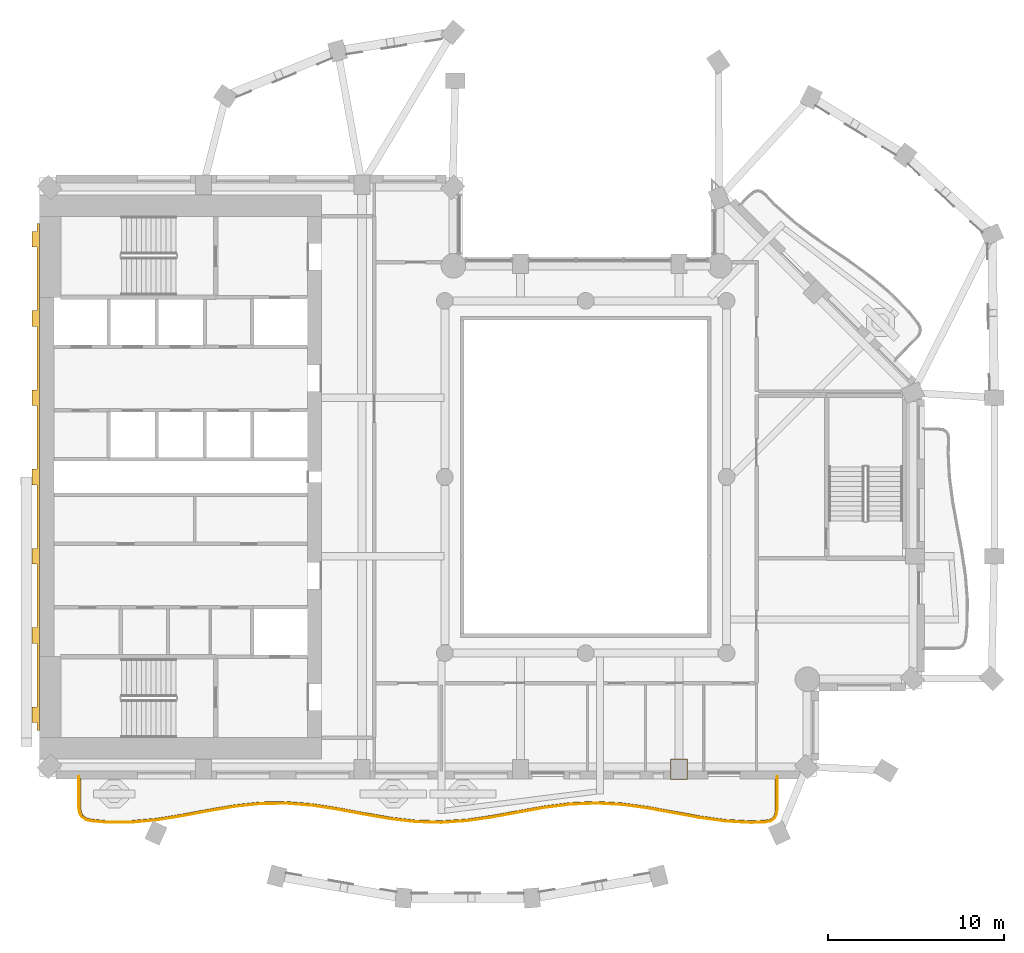
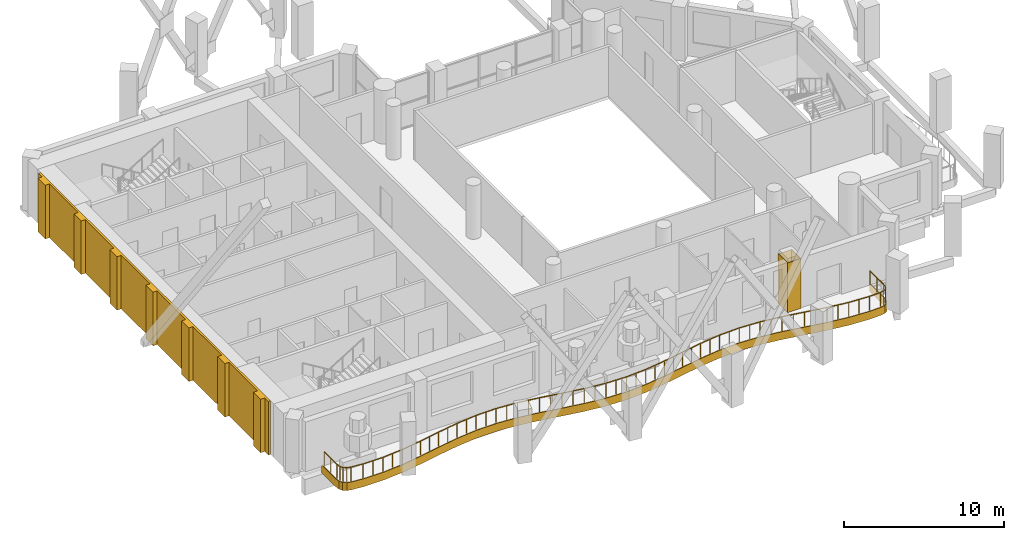
# One storey, part 13 of 17: 3 coverings, 1 railing.
"""IFC4 building model written with IfcOpenShell, lengths in metres."""

from ifc_helpers import new_model, si_unit, direction, frame, origin, origin_2d, place, context, subcontext, project, spatial, polyline, rectangle, outline, extrude, material, layer, layer_set, type_object, element, save


model = new_model("IFC4")

# Units and contexts
model_context = context("Model", 3, precision=1e-05, world=origin(), true_north=direction((0.0, 1.0)))
body_context = subcontext(model_context, "Body", "Model", "MODEL_VIEW")
ifc_project = project(units=[si_unit("LENGTHUNIT", "METRE"), si_unit("AREAUNIT", "SQUARE_METRE"), si_unit("VOLUMEUNIT", "CUBIC_METRE"), si_unit("PLANEANGLEUNIT", "RADIAN"), si_unit("MASSUNIT", "GRAM", prefix="KILO")], contexts=[model_context])

# Site, building, storey
site_placement = place(None, origin())
site = spatial("IfcSite", under=ifc_project, at=site_placement, CompositionType="ELEMENT")
building_placement = place(site_placement, origin())
building = spatial("IfcBuilding", under=site, at=building_placement, Name="Cypress Arch Tower", CompositionType="ELEMENT")
storey_placement = place(building_placement, frame((0.0, 0.0, 217.89990234375)))
storey = spatial("IfcBuildingStorey", under=building, at=storey_placement, Name="L48", CompositionType="ELEMENT", Elevation=217.89990234375)

# Covering
ifc_material_1 = material(Name="White powder-coated aluminium fascia", Category="aluminium")
ifc_layer_1 = layer(ifc_material_1, 0.050048828125)
ifc_layer_set_1 = layer_set([ifc_layer_1], Name="Balcony fascia BF50")
covering_type_1 = type_object("IfcCoveringType", Name="Balcony fascia BF50", PredefinedType="CLADDING", material=ifc_layer_set_1)
covering_1_placement = place(storey_placement, frame((0.0, 0.0, -0.599853515625)))
element("IfcCovering", 1, at=covering_1_placement, inside=storey, type_object=covering_type_1, Name="Balcony fascia L48-B01", PredefinedType="CLADDING", context=body_context, shape_type="SweptSolid", body=[
    extrude(outline(polyline([(11.89990234375, -18.8837890625), (11.85693359375, -19.187744140625), (11.72216796875, -19.41796875), (11.49755859375, -19.56201171875), (11.195556640625, -19.617431640625), (10.383056640625, -19.650390625), (8.911865234375, -19.56884765625), (7.442138671875, -19.36669921875), (5.974365234375, -19.096435546875), (4.5087890625, -18.827392578125), (3.04541015625, -18.62841796875), (1.5830078125, -18.55029296875), (0.120849609375, -18.61279296875), (-1.34228515625, -18.800048828125), (-2.8076171875, -19.064453125), (-4.275146484375, -19.338134765625), (-5.744873046875, -19.551025390625), (-7.2158203125, -19.648193359375), (-8.68701171875, -19.6044921875), (-10.1572265625, -19.43115234375), (-11.625732421875, -19.173095703125), (-13.091796875, -18.896484375), (-14.5556640625, -18.67236328125), (-16.018310546875, -18.557861328125), (-17.480224609375, -18.58203125), (-18.943115234375, -18.73876953125), (-20.40771484375, -18.98828125), (-21.874755859375, -19.266845703125), (-23.34375, -19.502685546875), (-24.814453125, -19.63525390625), (-26.285888671875, -19.63037109375), (-27.09814453125, -19.552490234375), (-27.399658203125, -19.480224609375), (-27.623046875, -19.32421875), (-27.7568359375, -19.0869140625), (-27.800048828125, -18.780029296875), (-27.800048828125, -17.0009765625), (-27.75, -17.0009765625), (-27.75, -18.776611328125), (-27.708740234375, -19.07080078125), (-27.5849609375, -19.289794921875), (-27.378662109375, -19.433837890625), (-27.090087890625, -19.5029296875), (-26.283447265625, -19.58056640625), (-24.816650390625, -19.585205078125), (-23.35009765625, -19.453125), (-21.88330078125, -19.217529296875), (-20.416748046875, -18.939208984375), (-18.949951171875, -18.689208984375), (-17.4833984375, -18.5322265625), (-16.0166015625, -18.5078125), (-14.550048828125, -18.62255859375), (-13.083251953125, -18.84716796875), (-11.61669921875, -19.123779296875), (-10.14990234375, -19.3818359375), (-8.683349609375, -19.5546875), (-7.216552734375, -19.59814453125), (-5.75, -19.50146484375), (-4.283447265625, -19.288818359375), (-2.816650390625, -19.01513671875), (-1.35009765625, -18.750732421875), (0.11669921875, -18.56298828125), (1.583251953125, -18.500244140625), (3.050048828125, -18.57861328125), (4.5166015625, -18.778076171875), (5.9833984375, -19.04736328125), (7.449951171875, -19.3173828125), (8.916748046875, -19.51904296875), (10.38330078125, -19.600341796875), (11.18994140625, -19.567626953125), (11.478759765625, -19.5146484375), (11.68505859375, -19.382568359375), (11.808837890625, -19.171142578125), (11.85009765625, -18.88037109375), (11.85009765625, -17.0009765625), (11.89990234375, -17.0009765625), (11.89990234375, -18.8837890625)])), origin(), (0.0, 0.0, 1.0), 0.599853515625),
])

# Railing
ifc_material_2 = material(Name="Powder-coated steel posts and rods, 100 mm clear between rods", Category="steel")
railing_type = type_object("IfcRailingType", Name="Balcony guard GR1100", PredefinedType="GUARDRAIL", material=ifc_material_2)
railing_placement = place(storey_placement, frame((11.800048828125, -17.14990234375, 0.0)))
element("IfcRailing", 2, at=railing_placement, inside=storey, type_object=railing_type, Name="Balcony guard L48-B01", PredefinedType="GUARDRAIL", context=body_context, shape_type="SweptSolid", body=[
    extrude(rectangle(XDim=0.050048828125, YDim=0.050048828125, at=origin_2d()), frame((0.0, 0.0, 1.0751953125), z_axis=(0.0, -1.0, 0.0), x_axis=(1.0, 0.0, 0.0)), (0.0, 0.0, 1.0), 1.72705078125),
    extrude(rectangle(XDim=0.050048828125, YDim=0.050048828125, at=origin_2d()), frame((0.0, -1.72705078125, 1.0751953125), z_axis=(-0.140323088527, -0.990105767495, 0.0), x_axis=(0.990105767495, -0.140323088527, 0.0)), (0.0, 0.0, 1.0), 0.280029296875),
    extrude(rectangle(XDim=0.050048828125, YDim=0.050048828125, at=origin_2d()), frame((-0.039306640625, -2.00439453125, 1.0751953125), z_axis=(-0.505298405875, -0.862944680162, 0.0), x_axis=(0.862944680162, -0.505298405875, 0.0)), (0.0, 0.0, 1.0), 0.22314453125),
    extrude(rectangle(XDim=0.050048828125, YDim=0.050048828125, at=origin_2d()), frame((-0.152099609375, -2.197021484375, 1.0751953125), z_axis=(-0.84217206923, -0.539208870299, 0.0), x_axis=(0.539208870299, -0.84217206923, 0.0)), (0.0, 0.0, 1.0), 0.22314453125),
    extrude(rectangle(XDim=0.050048828125, YDim=0.050048828125, at=origin_2d()), frame((-0.340087890625, -2.3173828125, 1.0751953125), z_axis=(-0.98360398179, -0.180341916945, 0.0), x_axis=(0.180341916945, -0.98360398179, 0.0)), (0.0, 0.0, 1.0), 0.2802734375),
    extrude(rectangle(XDim=0.050048828125, YDim=0.050048828125, at=origin_2d()), frame((-0.61572265625, -2.367919921875, 1.0751953125), z_axis=(-0.999178410314, -0.040527822071, 0.0), x_axis=(0.040527822071, -0.999178410314, 0.0)), (0.0, 0.0, 1.0), 0.80126953125),
    extrude(rectangle(XDim=0.050048828125, YDim=0.050048828125, at=origin_2d()), frame((-1.416259765625, -2.400390625, 1.0751953125), z_axis=(-0.998467525292, 0.055340771018, 0.0), x_axis=(-0.055340771018, -0.998467525292, 0.0)), (0.0, 0.0, 1.0), 1.464599609375),
    extrude(rectangle(XDim=0.050048828125, YDim=0.050048828125, at=origin_2d()), frame((-2.878662109375, -2.3193359375, 1.0751953125), z_axis=(-0.99066043027, 0.136352161323, 0.0), x_axis=(-0.136352161323, -0.99066043027, 0.0)), (0.0, 0.0, 1.0), 1.477294921875),
    extrude(rectangle(XDim=0.050048828125, YDim=0.050048828125, at=origin_2d()), frame((-4.342041015625, -2.117919921875, 1.0751953125), z_axis=(-0.983476992089, 0.181033162795, 0.0), x_axis=(-0.181033162795, -0.983476992089, 0.0)), (0.0, 0.0, 1.0), 1.490234375),
    extrude(rectangle(XDim=0.050048828125, YDim=0.050048828125, at=origin_2d()), frame((-5.8076171875, -1.84814453125, 1.0751953125), z_axis=(-0.983554284179, 0.180612762763, 0.0), x_axis=(-0.180612762763, -0.983554284179, 0.0)), (0.0, 0.0, 1.0), 1.492431640625),
    extrude(rectangle(XDim=0.050048828125, YDim=0.050048828125, at=origin_2d()), frame((-7.275390625, -1.57861328125, 1.0751953125), z_axis=(-0.990897143791, 0.134621136625, 0.0), x_axis=(-0.134621136625, -0.990897143791, 0.0)), (0.0, 0.0, 1.0), 1.4833984375),
    extrude(rectangle(XDim=0.050048828125, YDim=0.050048828125, at=origin_2d()), frame((-8.745361328125, -1.37890625, 1.0751953125), z_axis=(-0.998575394314, 0.053358990536, 0.0), x_axis=(-0.053358990536, -0.998575394314, 0.0)), (0.0, 0.0, 1.0), 1.473388671875),
    extrude(rectangle(XDim=0.050048828125, YDim=0.050048828125, at=origin_2d()), frame((-10.216552734375, -1.30029296875, 1.0751953125), z_axis=(-0.999084718698, -0.042775283343, 0.0), x_axis=(0.042775283343, -0.999084718698, 0.0)), (0.0, 0.0, 1.0), 1.47265625),
    extrude(rectangle(XDim=0.050048828125, YDim=0.050048828125, at=origin_2d()), frame((-11.687744140625, -1.36328125, 1.0751953125), z_axis=(-0.991921576173, -0.126852618112, 0.0), x_axis=(0.126852618112, -0.991921576173, 0.0)), (0.0, 0.0, 1.0), 1.48193359375),
    extrude(rectangle(XDim=0.050048828125, YDim=0.050048828125, at=origin_2d()), frame((-13.15771484375, -1.55126953125, 1.0751953125), z_axis=(-0.984107330905, -0.1775746639, 0.0), x_axis=(0.1775746639, -0.984107330905, 0.0)), (0.0, 0.0, 1.0), 1.49169921875),
    extrude(rectangle(XDim=0.050048828125, YDim=0.050048828125, at=origin_2d()), frame((-14.625732421875, -1.816162109375, 1.0751953125), z_axis=(-0.983042293768, -0.18337897552, 0.0), x_axis=(0.18337897552, -0.983042293768, 0.0)), (0.0, 0.0, 1.0), 1.4912109375),
    extrude(rectangle(XDim=0.050048828125, YDim=0.050048828125, at=origin_2d()), frame((-16.091552734375, -2.089599609375, 1.0751953125), z_axis=(-0.989656863046, -0.143454848038, 0.0), x_axis=(0.143454848038, -0.989656863046, 0.0)), (0.0, 0.0, 1.0), 1.47900390625),
    extrude(rectangle(XDim=0.050048828125, YDim=0.050048828125, at=origin_2d()), frame((-17.55517578125, -2.3017578125, 1.0751953125), z_axis=(-0.997832810113, -0.065800327211, 0.0), x_axis=(0.065800327211, -0.997832810113, 0.0)), (0.0, 0.0, 1.0), 1.465576171875),
    extrude(rectangle(XDim=0.050048828125, YDim=0.050048828125, at=origin_2d()), frame((-19.017578125, -2.398193359375, 1.0751953125), z_axis=(-0.999558618857, 0.029708037094, 0.0), x_axis=(-0.029708037094, -0.999558618857, 0.0)), (0.0, 0.0, 1.0), 1.462890625),
    extrude(rectangle(XDim=0.050048828125, YDim=0.050048828125, at=origin_2d()), frame((-20.479736328125, -2.354736328125, 1.0751953125), z_axis=(-0.993132493796, 0.116995084368, 0.0), x_axis=(-0.116995084368, -0.993132493796, 0.0)), (0.0, 0.0, 1.0), 1.47314453125),
    extrude(rectangle(XDim=0.050048828125, YDim=0.050048828125, at=origin_2d()), frame((-21.94287109375, -2.182373046875, 1.0751953125), z_axis=(-0.984890783301, 0.173176629397, 0.0), x_axis=(-0.173176629397, -0.984890783301, 0.0)), (0.0, 0.0, 1.0), 1.4873046875),
    extrude(rectangle(XDim=0.050048828125, YDim=0.050048828125, at=origin_2d()), frame((-23.40771484375, -1.9248046875, 1.0751953125), z_axis=(-0.982660529604, 0.185413817067, 0.0), x_axis=(-0.185413817067, -0.982660529604, 0.0)), (0.0, 0.0, 1.0), 1.4931640625),
    extrude(rectangle(XDim=0.050048828125, YDim=0.050048828125, at=origin_2d()), frame((-24.875, -1.64794921875, 1.0751953125), z_axis=(-0.988491023106, 0.151279533446, 0.0), x_axis=(-0.151279533446, -0.988491023106, 0.0)), (0.0, 0.0, 1.0), 1.486328125),
    extrude(rectangle(XDim=0.050048828125, YDim=0.050048828125, at=origin_2d()), frame((-26.34423828125, -1.423095703125, 1.0751953125), z_axis=(-0.996945455279, 0.078100955169, 0.0), x_axis=(-0.078100955169, -0.996945455279, 0.0)), (0.0, 0.0, 1.0), 1.475341796875),
    extrude(rectangle(XDim=0.050048828125, YDim=0.050048828125, at=origin_2d()), frame((-27.815185546875, -1.307861328125, 1.0751953125), z_axis=(-0.999862335468, -0.016592471548, 0.0), x_axis=(0.016592471548, -0.999862335468, 0.0)), (0.0, 0.0, 1.0), 1.471435546875),
    extrude(rectangle(XDim=0.050048828125, YDim=0.050048828125, at=origin_2d()), frame((-29.286376953125, -1.332275390625, 1.0751953125), z_axis=(-0.994297281732, -0.106643872489, 0.0), x_axis=(0.106643872489, -0.994297281732, 0.0)), (0.0, 0.0, 1.0), 1.47900390625),
    extrude(rectangle(XDim=0.050048828125, YDim=0.050048828125, at=origin_2d()), frame((-30.7568359375, -1.489990234375, 1.0751953125), z_axis=(-0.985821169784, -0.167799348048, 0.0), x_axis=(0.167799348048, -0.985821169784, 0.0)), (0.0, 0.0, 1.0), 1.489990234375),
    extrude(rectangle(XDim=0.050048828125, YDim=0.050048828125, at=origin_2d()), frame((-32.2255859375, -1.739990234375, 1.0751953125), z_axis=(-0.982458632035, -0.186480659427, 0.0), x_axis=(0.186480659427, -0.982458632035, 0.0)), (0.0, 0.0, 1.0), 1.492431640625),
    extrude(rectangle(XDim=0.050048828125, YDim=0.050048828125, at=origin_2d()), frame((-33.69189453125, -2.018310546875, 1.0751953125), z_axis=(-0.987355227799, -0.15852335518, 0.0), x_axis=(0.15852335518, -0.987355227799, 0.0)), (0.0, 0.0, 1.0), 1.483154296875),
    extrude(rectangle(XDim=0.050048828125, YDim=0.050048828125, at=origin_2d()), frame((-35.15625, -2.25341796875, 1.0751953125), z_axis=(-0.995947531113, -0.089936173315, 0.0), x_axis=(0.089936173315, -0.995947531113, 0.0)), (0.0, 0.0, 1.0), 1.468505859375),
    extrude(rectangle(XDim=0.050048828125, YDim=0.050048828125, at=origin_2d()), frame((-36.618896484375, -2.385498046875, 1.0751953125), z_axis=(-0.999994422202, 0.00333999473, 0.0), x_axis=(-0.00333999473, -0.999994422202, 0.0)), (0.0, 0.0, 1.0), 1.4619140625),
    extrude(rectangle(XDim=0.050048828125, YDim=0.050048828125, at=origin_2d()), frame((-38.080810546875, -2.380615234375, 1.0751953125), z_axis=(-0.995422915187, 0.09556788122, 0.0), x_axis=(-0.09556788122, -0.995422915187, 0.0)), (0.0, 0.0, 1.0), 0.8046875),
    extrude(rectangle(XDim=0.050048828125, YDim=0.050048828125, at=origin_2d()), frame((-38.8818359375, -2.3037109375, 1.0751953125), z_axis=(-0.972473089574, 0.233015214213, 0.0), x_axis=(-0.233015214213, -0.972473089574, 0.0)), (0.0, 0.0, 1.0), 0.283935546875),
    extrude(rectangle(XDim=0.050048828125, YDim=0.050048828125, at=origin_2d()), frame((-39.157958984375, -2.237548828125, 1.0751953125), z_axis=(-0.819976822953, 0.572396724152, 0.0), x_axis=(-0.572396724152, -0.819976822953, 0.0)), (0.0, 0.0, 1.0), 0.230712890625),
    extrude(rectangle(XDim=0.050048828125, YDim=0.050048828125, at=origin_2d()), frame((-39.34716796875, -2.10546875, 1.0751953125), z_axis=(-0.491917815292, 0.870641638677, 0.0), x_axis=(-0.870641638677, -0.491917815292, 0.0)), (0.0, 0.0, 1.0), 0.230712890625),
    extrude(rectangle(XDim=0.050048828125, YDim=0.050048828125, at=origin_2d()), frame((-39.460693359375, -1.904541015625, 1.0751953125), z_axis=(-0.138411751844, 0.990374770959, 0.0), x_axis=(-0.990374770959, -0.138411751844, 0.0)), (0.0, 0.0, 1.0), 0.283935546875),
    extrude(rectangle(XDim=0.050048828125, YDim=0.050048828125, at=origin_2d()), frame((-39.5, -1.623291015625, 1.0751953125), z_axis=(0.0, 1.0, 0.0), x_axis=(-1.0, 0.0, 0.0)), (0.0, 0.0, 1.0), 1.623291015625),
    extrude(rectangle(XDim=0.0400390625, YDim=0.0400390625, at=origin_2d()), origin(), (0.0, 0.0, 1.0), 1.050048828125),
    extrude(rectangle(XDim=0.0400390625, YDim=0.0400390625, at=origin_2d()), frame((0.0, -0.863525390625, 0.0)), (0.0, 0.0, 1.0), 1.050048828125),
    extrude(rectangle(XDim=0.0400390625, YDim=0.0400390625, at=origin_2d()), frame((0.0, -1.72705078125, 0.0)), (0.0, 0.0, 1.0), 1.050048828125),
    extrude(rectangle(XDim=0.0400390625, YDim=0.0400390625, at=origin_2d()), frame((-0.039306640625, -2.00439453125, 0.0)), (0.0, 0.0, 1.0), 1.050048828125),
    extrude(rectangle(XDim=0.0400390625, YDim=0.0400390625, at=origin_2d()), frame((-0.152099609375, -2.197021484375, 0.0)), (0.0, 0.0, 1.0), 1.050048828125),
    extrude(rectangle(XDim=0.0400390625, YDim=0.0400390625, at=origin_2d()), frame((-0.340087890625, -2.3173828125, 0.0)), (0.0, 0.0, 1.0), 1.050048828125),
    extrude(rectangle(XDim=0.0400390625, YDim=0.0400390625, at=origin_2d()), frame((-0.61572265625, -2.367919921875, 0.0)), (0.0, 0.0, 1.0), 1.050048828125),
    extrude(rectangle(XDim=0.0400390625, YDim=0.0400390625, at=origin_2d()), frame((-1.416259765625, -2.400390625, 0.0)), (0.0, 0.0, 1.0), 1.050048828125),
    extrude(rectangle(XDim=0.0400390625, YDim=0.0400390625, at=origin_2d()), frame((-2.1474609375, -2.35986328125, 0.0)), (0.0, 0.0, 1.0), 1.050048828125),
    extrude(rectangle(XDim=0.0400390625, YDim=0.0400390625, at=origin_2d()), frame((-2.878662109375, -2.3193359375, 0.0)), (0.0, 0.0, 1.0), 1.050048828125),
    extrude(rectangle(XDim=0.0400390625, YDim=0.0400390625, at=origin_2d()), frame((-3.6103515625, -2.21875, 0.0)), (0.0, 0.0, 1.0), 1.050048828125),
    extrude(rectangle(XDim=0.0400390625, YDim=0.0400390625, at=origin_2d()), frame((-4.342041015625, -2.117919921875, 0.0)), (0.0, 0.0, 1.0), 1.050048828125),
    extrude(rectangle(XDim=0.0400390625, YDim=0.0400390625, at=origin_2d()), frame((-5.07470703125, -1.98291015625, 0.0)), (0.0, 0.0, 1.0), 1.050048828125),
    extrude(rectangle(XDim=0.0400390625, YDim=0.0400390625, at=origin_2d()), frame((-5.8076171875, -1.84814453125, 0.0)), (0.0, 0.0, 1.0), 1.050048828125),
    extrude(rectangle(XDim=0.0400390625, YDim=0.0400390625, at=origin_2d()), frame((-6.54150390625, -1.71337890625, 0.0)), (0.0, 0.0, 1.0), 1.050048828125),
    extrude(rectangle(XDim=0.0400390625, YDim=0.0400390625, at=origin_2d()), frame((-7.275390625, -1.57861328125, 0.0)), (0.0, 0.0, 1.0), 1.050048828125),
    extrude(rectangle(XDim=0.0400390625, YDim=0.0400390625, at=origin_2d()), frame((-8.01025390625, -1.478759765625, 0.0)), (0.0, 0.0, 1.0), 1.050048828125),
    extrude(rectangle(XDim=0.0400390625, YDim=0.0400390625, at=origin_2d()), frame((-8.745361328125, -1.37890625, 0.0)), (0.0, 0.0, 1.0), 1.050048828125),
    extrude(rectangle(XDim=0.0400390625, YDim=0.0400390625, at=origin_2d()), frame((-9.48095703125, -1.339599609375, 0.0)), (0.0, 0.0, 1.0), 1.050048828125),
    extrude(rectangle(XDim=0.0400390625, YDim=0.0400390625, at=origin_2d()), frame((-10.216552734375, -1.30029296875, 0.0)), (0.0, 0.0, 1.0), 1.050048828125),
    extrude(rectangle(XDim=0.0400390625, YDim=0.0400390625, at=origin_2d()), frame((-10.9521484375, -1.331787109375, 0.0)), (0.0, 0.0, 1.0), 1.050048828125),
    extrude(rectangle(XDim=0.0400390625, YDim=0.0400390625, at=origin_2d()), frame((-11.687744140625, -1.36328125, 0.0)), (0.0, 0.0, 1.0), 1.050048828125),
    extrude(rectangle(XDim=0.0400390625, YDim=0.0400390625, at=origin_2d()), frame((-12.4228515625, -1.457275390625, 0.0)), (0.0, 0.0, 1.0), 1.050048828125),
    extrude(rectangle(XDim=0.0400390625, YDim=0.0400390625, at=origin_2d()), frame((-13.15771484375, -1.55126953125, 0.0)), (0.0, 0.0, 1.0), 1.050048828125),
    extrude(rectangle(XDim=0.0400390625, YDim=0.0400390625, at=origin_2d()), frame((-13.8916015625, -1.68359375, 0.0)), (0.0, 0.0, 1.0), 1.050048828125),
    extrude(rectangle(XDim=0.0400390625, YDim=0.0400390625, at=origin_2d()), frame((-14.625732421875, -1.816162109375, 0.0)), (0.0, 0.0, 1.0), 1.050048828125),
    extrude(rectangle(XDim=0.0400390625, YDim=0.0400390625, at=origin_2d()), frame((-15.358642578125, -1.952880859375, 0.0)), (0.0, 0.0, 1.0), 1.050048828125),
    extrude(rectangle(XDim=0.0400390625, YDim=0.0400390625, at=origin_2d()), frame((-16.091552734375, -2.089599609375, 0.0)), (0.0, 0.0, 1.0), 1.050048828125),
    extrude(rectangle(XDim=0.0400390625, YDim=0.0400390625, at=origin_2d()), frame((-16.8232421875, -2.19580078125, 0.0)), (0.0, 0.0, 1.0), 1.050048828125),
    extrude(rectangle(XDim=0.0400390625, YDim=0.0400390625, at=origin_2d()), frame((-17.55517578125, -2.3017578125, 0.0)), (0.0, 0.0, 1.0), 1.050048828125),
    extrude(rectangle(XDim=0.0400390625, YDim=0.0400390625, at=origin_2d()), frame((-18.286376953125, -2.35009765625, 0.0)), (0.0, 0.0, 1.0), 1.050048828125),
    extrude(rectangle(XDim=0.0400390625, YDim=0.0400390625, at=origin_2d()), frame((-19.017578125, -2.398193359375, 0.0)), (0.0, 0.0, 1.0), 1.050048828125),
    extrude(rectangle(XDim=0.0400390625, YDim=0.0400390625, at=origin_2d()), frame((-19.74853515625, -2.37646484375, 0.0)), (0.0, 0.0, 1.0), 1.050048828125),
    extrude(rectangle(XDim=0.0400390625, YDim=0.0400390625, at=origin_2d()), frame((-20.479736328125, -2.354736328125, 0.0)), (0.0, 0.0, 1.0), 1.050048828125),
    extrude(rectangle(XDim=0.0400390625, YDim=0.0400390625, at=origin_2d()), frame((-21.21142578125, -2.2685546875, 0.0)), (0.0, 0.0, 1.0), 1.050048828125),
    extrude(rectangle(XDim=0.0400390625, YDim=0.0400390625, at=origin_2d()), frame((-21.94287109375, -2.182373046875, 0.0)), (0.0, 0.0, 1.0), 1.050048828125),
    extrude(rectangle(XDim=0.0400390625, YDim=0.0400390625, at=origin_2d()), frame((-22.67529296875, -2.0537109375, 0.0)), (0.0, 0.0, 1.0), 1.050048828125),
    extrude(rectangle(XDim=0.0400390625, YDim=0.0400390625, at=origin_2d()), frame((-23.40771484375, -1.9248046875, 0.0)), (0.0, 0.0, 1.0), 1.050048828125),
    extrude(rectangle(XDim=0.0400390625, YDim=0.0400390625, at=origin_2d()), frame((-24.141357421875, -1.786376953125, 0.0)), (0.0, 0.0, 1.0), 1.050048828125),
    extrude(rectangle(XDim=0.0400390625, YDim=0.0400390625, at=origin_2d()), frame((-24.875, -1.64794921875, 0.0)), (0.0, 0.0, 1.0), 1.050048828125),
    extrude(rectangle(XDim=0.0400390625, YDim=0.0400390625, at=origin_2d()), frame((-25.609619140625, -1.53564453125, 0.0)), (0.0, 0.0, 1.0), 1.050048828125),
    extrude(rectangle(XDim=0.0400390625, YDim=0.0400390625, at=origin_2d()), frame((-26.34423828125, -1.423095703125, 0.0)), (0.0, 0.0, 1.0), 1.050048828125),
    extrude(rectangle(XDim=0.0400390625, YDim=0.0400390625, at=origin_2d()), frame((-27.07958984375, -1.365478515625, 0.0)), (0.0, 0.0, 1.0), 1.050048828125),
    extrude(rectangle(XDim=0.0400390625, YDim=0.0400390625, at=origin_2d()), frame((-27.815185546875, -1.307861328125, 0.0)), (0.0, 0.0, 1.0), 1.050048828125),
    extrude(rectangle(XDim=0.0400390625, YDim=0.0400390625, at=origin_2d()), frame((-28.55078125, -1.320068359375, 0.0)), (0.0, 0.0, 1.0), 1.050048828125),
    extrude(rectangle(XDim=0.0400390625, YDim=0.0400390625, at=origin_2d()), frame((-29.286376953125, -1.332275390625, 0.0)), (0.0, 0.0, 1.0), 1.050048828125),
    extrude(rectangle(XDim=0.0400390625, YDim=0.0400390625, at=origin_2d()), frame((-30.021484375, -1.4111328125, 0.0)), (0.0, 0.0, 1.0), 1.050048828125),
    extrude(rectangle(XDim=0.0400390625, YDim=0.0400390625, at=origin_2d()), frame((-30.7568359375, -1.489990234375, 0.0)), (0.0, 0.0, 1.0), 1.050048828125),
    extrude(rectangle(XDim=0.0400390625, YDim=0.0400390625, at=origin_2d()), frame((-31.4912109375, -1.614990234375, 0.0)), (0.0, 0.0, 1.0), 1.050048828125),
    extrude(rectangle(XDim=0.0400390625, YDim=0.0400390625, at=origin_2d()), frame((-32.2255859375, -1.739990234375, 0.0)), (0.0, 0.0, 1.0), 1.050048828125),
    extrude(rectangle(XDim=0.0400390625, YDim=0.0400390625, at=origin_2d()), frame((-32.958740234375, -1.879150390625, 0.0)), (0.0, 0.0, 1.0), 1.050048828125),
    extrude(rectangle(XDim=0.0400390625, YDim=0.0400390625, at=origin_2d()), frame((-33.69189453125, -2.018310546875, 0.0)), (0.0, 0.0, 1.0), 1.050048828125),
    extrude(rectangle(XDim=0.0400390625, YDim=0.0400390625, at=origin_2d()), frame((-34.424072265625, -2.1357421875, 0.0)), (0.0, 0.0, 1.0), 1.050048828125),
    extrude(rectangle(XDim=0.0400390625, YDim=0.0400390625, at=origin_2d()), frame((-35.15625, -2.25341796875, 0.0)), (0.0, 0.0, 1.0), 1.050048828125),
    extrude(rectangle(XDim=0.0400390625, YDim=0.0400390625, at=origin_2d()), frame((-35.8876953125, -2.3193359375, 0.0)), (0.0, 0.0, 1.0), 1.050048828125),
    extrude(rectangle(XDim=0.0400390625, YDim=0.0400390625, at=origin_2d()), frame((-36.618896484375, -2.385498046875, 0.0)), (0.0, 0.0, 1.0), 1.050048828125),
    extrude(rectangle(XDim=0.0400390625, YDim=0.0400390625, at=origin_2d()), frame((-37.349853515625, -2.383056640625, 0.0)), (0.0, 0.0, 1.0), 1.050048828125),
    extrude(rectangle(XDim=0.0400390625, YDim=0.0400390625, at=origin_2d()), frame((-38.080810546875, -2.380615234375, 0.0)), (0.0, 0.0, 1.0), 1.050048828125),
    extrude(rectangle(XDim=0.0400390625, YDim=0.0400390625, at=origin_2d()), frame((-38.8818359375, -2.3037109375, 0.0)), (0.0, 0.0, 1.0), 1.050048828125),
    extrude(rectangle(XDim=0.0400390625, YDim=0.0400390625, at=origin_2d()), frame((-39.157958984375, -2.237548828125, 0.0)), (0.0, 0.0, 1.0), 1.050048828125),
    extrude(rectangle(XDim=0.0400390625, YDim=0.0400390625, at=origin_2d()), frame((-39.34716796875, -2.10546875, 0.0)), (0.0, 0.0, 1.0), 1.050048828125),
    extrude(rectangle(XDim=0.0400390625, YDim=0.0400390625, at=origin_2d()), frame((-39.460693359375, -1.904541015625, 0.0)), (0.0, 0.0, 1.0), 1.050048828125),
    extrude(rectangle(XDim=0.0400390625, YDim=0.0400390625, at=origin_2d()), frame((-39.5, -1.623291015625, 0.0)), (0.0, 0.0, 1.0), 1.050048828125),
    extrude(rectangle(XDim=0.0400390625, YDim=0.0400390625, at=origin_2d()), frame((-39.5, -0.8115234375, 0.0)), (0.0, 0.0, 1.0), 1.050048828125),
    extrude(rectangle(XDim=0.0400390625, YDim=0.0400390625, at=origin_2d()), frame((-39.5, 0.0, 0.0)), (0.0, 0.0, 1.0), 1.050048828125),
])

# Coverings
ifc_material_3 = material(Name="Painted plasterboard column casing")
ifc_layer_2 = layer(ifc_material_3, 0.0400390625)
ifc_layer_set_2 = layer_set([ifc_layer_2], Name="Column casing CK40")
covering_type_2 = type_object("IfcCoveringType", Name="Column casing CK40", PredefinedType="CLADDING", material=ifc_layer_set_2)
covering_2_placement = place(storey_placement, origin())
element("IfcCovering", 3, at=covering_2_placement, inside=storey, type_object=covering_type_2, Name="Column casing L48 CB05", PredefinedType="CLADDING", context=body_context, shape_type="SweptSolid", body=[
    extrude(outline(polyline([(5.81005859375, -17.18994140625), (5.81005859375, -16.010009765625), (6.7900390625, -16.010009765625), (6.7900390625, -17.18994140625), (5.81005859375, -17.18994140625)]), holes=[polyline([(5.85009765625, -17.14990234375), (6.75, -17.14990234375), (6.75, -16.050048828125), (5.85009765625, -16.050048828125), (5.85009765625, -17.14990234375)])]), origin(), (0.0, 0.0, 1.0), 3.800048828125),
])
ifc_material_4 = material(Name="Brick (red buff blend)", Category="masonry")
ifc_layer_3 = layer(ifc_material_4, 0.449951171875)
ifc_layer_set_3 = layer_set([ifc_layer_3], Name="West face brick piers WP450")
covering_type_3 = type_object("IfcCoveringType", Name="West face brick piers WP450", PredefinedType="CLADDING", material=ifc_layer_set_3)
covering_3_placement = place(storey_placement, origin())
element("IfcCovering", 4, at=covering_3_placement, inside=storey, type_object=covering_type_3, Name="West face brick piers L48", PredefinedType="CLADDING", context=body_context, shape_type="SweptSolid", body=[
    extrude(outline(polyline([(-30.14990234375, -13.050048828125), (-30.14990234375, -9.449951171875), (-30.449951171875, -9.449951171875), (-30.449951171875, -8.550048828125), (-30.14990234375, -8.550048828125), (-30.14990234375, -4.949951171875), (-30.449951171875, -4.949951171875), (-30.449951171875, -4.050048828125), (-30.14990234375, -4.050048828125), (-30.14990234375, -0.449951171875), (-30.449951171875, -0.449951171875), (-30.449951171875, 0.449951171875), (-30.14990234375, 0.449951171875), (-30.14990234375, 4.050048828125), (-30.449951171875, 4.050048828125), (-30.449951171875, 4.949951171875), (-30.14990234375, 4.949951171875), (-30.14990234375, 8.550048828125), (-30.449951171875, 8.550048828125), (-30.449951171875, 9.449951171875), (-30.14990234375, 9.449951171875), (-30.14990234375, 13.050048828125), (-30.449951171875, 13.050048828125), (-30.449951171875, 13.949951171875), (-30.14990234375, 13.949951171875), (-30.14990234375, 14.39990234375), (-30.0, 14.39990234375), (-30.0, -14.39990234375), (-30.14990234375, -14.39990234375), (-30.14990234375, -13.949951171875), (-30.449951171875, -13.949951171875), (-30.449951171875, -13.050048828125), (-30.14990234375, -13.050048828125)])), origin(), (0.0, 0.0, 1.0), 4.10009765625),
])

save(model, "model.ifc")
